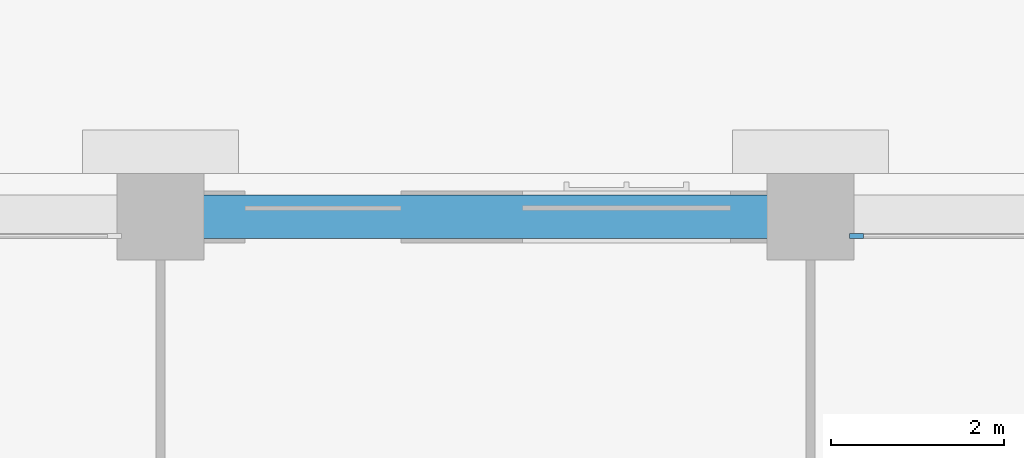
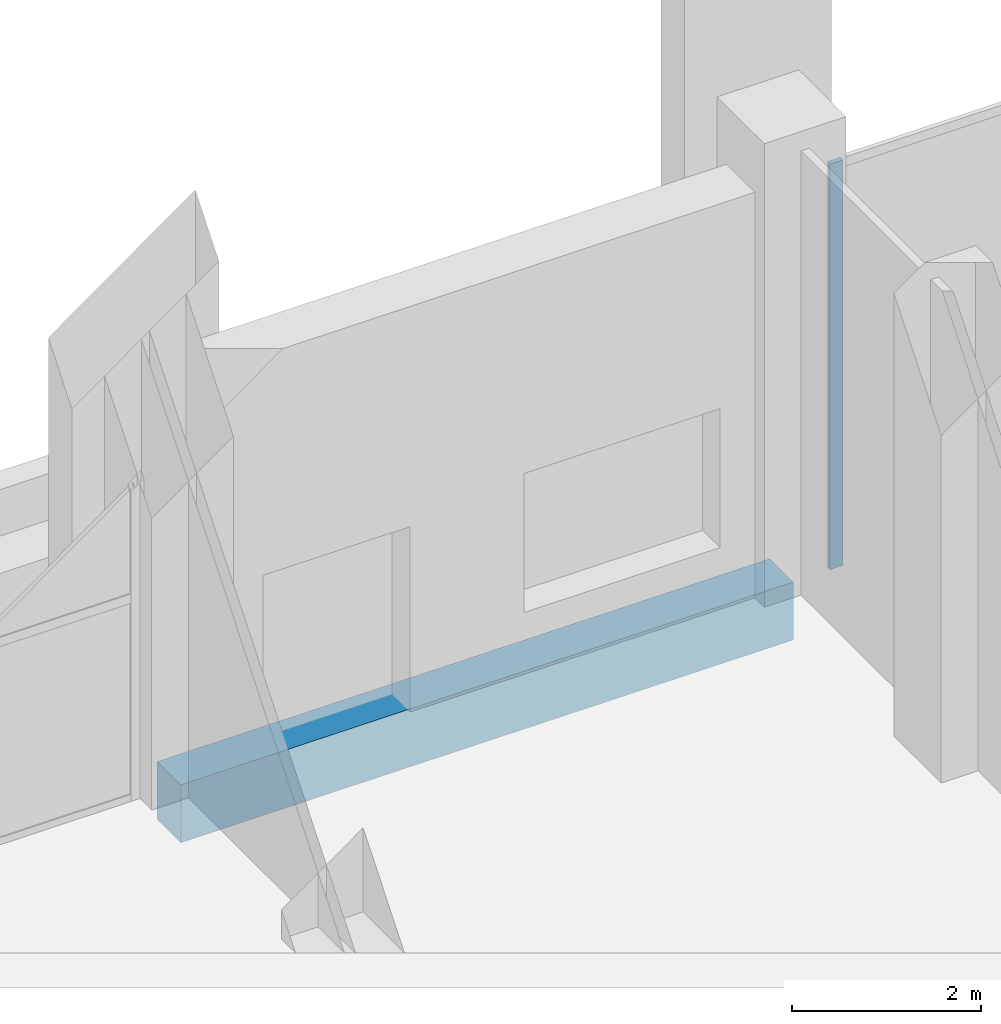
# One storey, part 7 of 23: 1 beam, 1 member, 1 element without a shape of its own.
"""IFC4 building model written with IfcOpenShell, lengths in metres."""

from ifc_helpers import new_model, si_unit, direction, frame, origin, origin_2d, place, context, subcontext, project, spatial, rectangle, extrude, material, layer, layer_set, material_profile, profile_set, type_object, element, aggregate, save


model = new_model("IFC4")

# Units and contexts
model_context = context("Model", 3, precision=1e-05, world=origin(), true_north=direction((0.0, 1.0)))
body_context = subcontext(model_context, "Body", "Model", "MODEL_VIEW")
ifc_project = project(units=[si_unit("LENGTHUNIT", "METRE"), si_unit("AREAUNIT", "SQUARE_METRE"), si_unit("VOLUMEUNIT", "CUBIC_METRE"), si_unit("PLANEANGLEUNIT", "RADIAN"), si_unit("MASSUNIT", "GRAM", prefix="KILO")], contexts=[model_context])

# Site, building, storey
site_placement = place(None, origin())
site = spatial("IfcSite", under=ifc_project, at=site_placement, CompositionType="ELEMENT")
building_placement = place(site_placement, origin())
building = spatial("IfcBuilding", under=site, at=building_placement, Name="Tamorin Gate", CompositionType="ELEMENT")
storey_placement = place(building_placement, frame((0.0, 0.0, 124.199951171875)))
storey = spatial("IfcBuildingStorey", under=building, at=storey_placement, Name="L30", CompositionType="ELEMENT", Elevation=124.199951171875)

# Curtain wall, member
ifc_material_1 = material(Name="Aluminium mullions and transoms with clear glass", Category="aluminium")
ifc_layer = layer(ifc_material_1, 0.159912109375)
ifc_layer_set = layer_set([ifc_layer], Name="Curtain wall system CW1")
curtain_wall_type = type_object("IfcCurtainWallType", Name="Curtain wall system CW1", PredefinedType="NOTDEFINED", material=ifc_layer_set)
curtain_wall_placement = place(storey_placement, origin())
curtain_wall = element("IfcCurtainWall", 1, at=curtain_wall_placement, inside=storey, type_object=curtain_wall_type, Name="Curtain wall", PredefinedType="NOTDEFINED")
ifc_material_2 = material(Name="Aluminium", Category="aluminium")
ifc_material_profile_1 = material_profile(ifc_material_2, rectangle(XDim=0.06005859375, YDim=0.159912109375, at=origin_2d()), Name="RECT 60x160")
ifc_profile_set_1 = profile_set([ifc_material_profile_1], Name="Aluminium")
member_type = type_object("IfcMemberType", Name="Aluminium mullion 60x160", PredefinedType="MULLION", material=ifc_profile_set_1)
member_placement = place(storey_placement, frame((60.530029296875, 100.530029296875, 0.0), z_axis=(0.0, 0.0, 1.0), x_axis=(0.0, -1.0, 0.0)))
member = element("IfcMember", 2, at=member_placement, type_object=member_type, Name="CW1 mullion 3", PredefinedType="MULLION", context=body_context, shape_type="SweptSolid", body=[
    extrude(rectangle(XDim=0.06005859375, YDim=0.159912109375, at=origin_2d()), origin(), (0.0, 0.0, 1.0), 5.25),
])
aggregate(curtain_wall, [member])

# Beam
ifc_material_3 = material(Name="Concrete C50/60", Category="concrete")
ifc_material_profile_2 = material_profile(ifc_material_3, rectangle(XDim=0.5, YDim=0.75, at=origin_2d()), Name="RC 500x750")
ifc_profile_set_2 = profile_set([ifc_material_profile_2], Name="Concrete C50/60")
beam_type = type_object("IfcBeamType", Name="RC spandrel 500x750 C50/60", PredefinedType="BEAM", material=ifc_profile_set_2)
beam_placement = place(storey_placement, frame((60.0, 100.75, -0.375), z_axis=(-1.0, 0.0, 0.0), x_axis=(0.0, -1.0, 0.0)))
element("IfcBeam", 3, at=beam_placement, inside=storey, type_object=beam_type, Name="Spandrel beam L30", PredefinedType="BEAM", context=body_context, shape_type="SweptSolid", body=[
    extrude(rectangle(XDim=0.5, YDim=0.75, at=origin_2d()), origin(), (0.0, 0.0, 1.0), 7.5),
])

save(model, "model.ifc")
